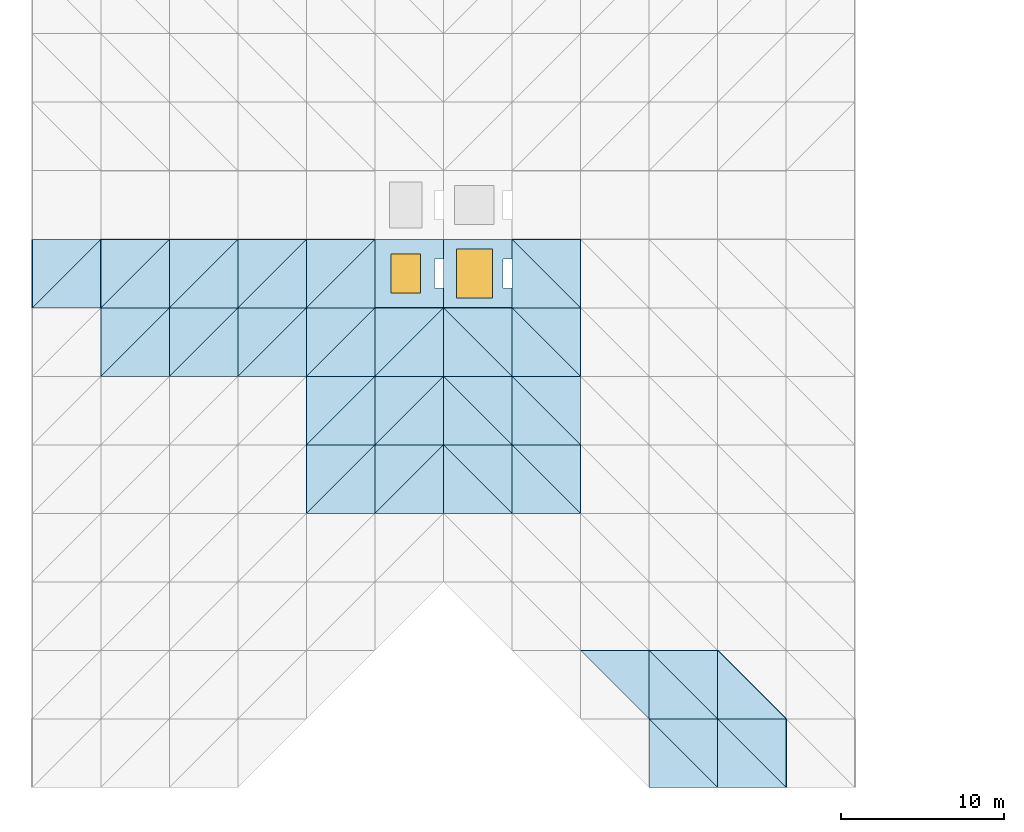
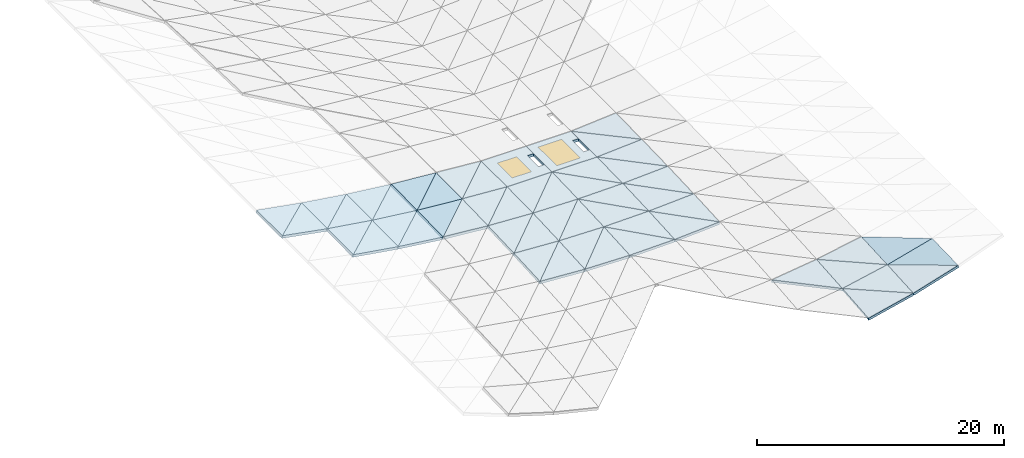
# One storey, part 6 of 31: 52 slabs, 2 windows, 2 openings.
"""IFC4 building model written with IfcOpenShell, lengths in metres."""

from ifc_helpers import new_model, si_unit, direction, frame, origin, origin_2d, place, context, subcontext, project, spatial, polyline, rectangle, outline, extrude, material, layer, layer_set, type_object, element, fill, save


model = new_model("IFC4")

# Units and contexts
model_context = context("Model", 3, precision=1e-05, world=origin(), true_north=direction((0.0, 1.0)))
body_context = subcontext(model_context, "Body", "Model", "MODEL_VIEW")
ifc_project = project(units=[si_unit("LENGTHUNIT", "METRE"), si_unit("AREAUNIT", "SQUARE_METRE"), si_unit("VOLUMEUNIT", "CUBIC_METRE"), si_unit("PLANEANGLEUNIT", "RADIAN"), si_unit("MASSUNIT", "GRAM", prefix="KILO")], contexts=[model_context])

# Site, building, storey
site_placement = place(None, origin())
site = spatial("IfcSite", under=ifc_project, at=site_placement, CompositionType="ELEMENT")
building_placement = place(site_placement, origin())
building = spatial("IfcBuilding", under=site, at=building_placement, Name="Cumbredor Promenade Congress Hotel", CompositionType="ELEMENT")
storey_placement = place(building_placement, frame((0.0, 0.0, 31.919921875)))
storey = spatial("IfcBuildingStorey", under=building, at=storey_placement, Name="L09", CompositionType="ELEMENT", Elevation=31.919921875)

# Slabs
ifc_material_1 = material(Name="Concrete C40/50", Category="concrete")
ifc_layer = layer(ifc_material_1, 0.25, Name="Concrete C40/50", Category="concrete")
ifc_layer_set = layer_set([ifc_layer], Name="Concrete C40/50")
slab_type = type_object("IfcSlabType", Name="Catenary Space Frame Roof Deck 250mm", PredefinedType="ROOF", material=ifc_layer_set)
slab_1_placement = place(storey_placement, frame((8.39990234375, 29.39990234375, 3.5341796875), z_axis=(0.180931503409, -0.003372814756, 0.983489916163), x_axis=(0.983495510242, 0.0, -0.180932532546)))
element("IfcSlab", 1, at=slab_1_placement, inside=storey, type_object=slab_type, Name="Plenary Congress Hall Sweeping Roof Deck Facet 4.8.1", PredefinedType="ROOF", context=body_context, shape_type="SweptSolid", body=[
    extrude(outline(polyline([(0.0, 0.0), (4.270680718680236, 0.0), (4.268074512767102, 4.2002192031614465), (0.0, 0.0)])), origin(), (0.0, 0.0, -1.0), 0.25),
])
slab_2_placement = place(storey_placement, frame((8.39990234375, 29.39990234375, 3.5341796875), z_axis=(0.175726910575, 0.002002748899, 0.984436916159), x_axis=(0.701414321813, 0.701414321813, -0.126632927433)))
element("IfcSlab", 2, at=slab_2_placement, inside=storey, type_object=slab_type, Name="Plenary Congress Hall Sweeping Roof Deck Facet 4.8.2", PredefinedType="ROOF", context=body_context, shape_type="SweptSolid", body=[
    extrude(outline(polyline([(0.0, 0.0), (5.988180141005973, -4.0245584642661925e-16), (2.9471592150726025, 2.992652041225218), (0.0, 0.0)])), origin(), (0.0, 0.0, -1.0), 0.25),
])
slab_3_placement = place(storey_placement, frame((12.60009765625, 25.199951171875, 2.73291015625), z_axis=(0.157496652803, -0.015611913106, 0.987396107206), x_axis=(0.987516459137, 0.0, -0.157515849786)))
element("IfcSlab", 3, at=slab_3_placement, inside=storey, type_object=slab_type, Name="Plenary Congress Hall Sweeping Roof Deck Facet 5.7.1", PredefinedType="ROOF", context=body_context, shape_type="SweptSolid", body=[
    extrude(outline(polyline([(0.0, 0.0), (4.253044223228545, 0.0), (4.242584186328683, 4.200463096350367), (0.0, 0.0)])), origin(), (0.0, 0.0, -1.0), 0.25),
])
slab_4_placement = place(storey_placement, frame((12.60009765625, 25.199951171875, 2.73291015625), z_axis=(0.148817726817, -0.00672525069, 0.988841774597), x_axis=(0.703484630197, 0.703484630197, -0.101087833857)))
element("IfcSlab", 4, at=slab_4_placement, inside=storey, type_object=slab_type, Name="Plenary Congress Hall Sweeping Roof Deck Facet 5.7.2", PredefinedType="ROOF", context=body_context, shape_type="SweptSolid", body=[
    extrude(outline(polyline([(0.0, 0.0), (5.970210281211836, 1.3877787807814457e-16), (2.951713578299067, 2.9879412185987584), (0.0, 0.0)])), origin(), (0.0, 0.0, -1.0), 0.25),
])
slab_5_placement = place(storey_placement, frame((12.60009765625, 29.39990234375, 2.761474609375), z_axis=(0.148816612176, -0.007759395472, 0.988834368194), x_axis=(0.988864137516, 0.0, -0.148821092369)))
element("IfcSlab", 5, at=slab_5_placement, inside=storey, type_object=slab_type, Name="Plenary Congress Hall Sweeping Roof Deck Facet 5.8.1", PredefinedType="ROOF", context=body_context, shape_type="SweptSolid", body=[
    extrude(outline(polyline([(0.0, 0.0), (4.247247940878505, 0.0), (4.242342948820433, 4.200321761347685), (0.0, 0.0)])), origin(), (0.0, 0.0, -1.0), 0.25),
])
slab_6_placement = place(storey_placement, frame((12.60009765625, 29.39990234375, 2.761474609375), z_axis=(0.144544248112, -0.003393400292, 0.989492519008), x_axis=(0.703516548722, 0.703557443714, -0.10035631056)))
element("IfcSlab", 6, at=slab_6_placement, inside=storey, type_object=slab_type, Name="Plenary Congress Hall Sweeping Roof Deck Facet 5.8.2", PredefinedType="ROOF", context=body_context, shape_type="SweptSolid", body=[
    extrude(outline(polyline([(0.0, 0.0), (5.969939412946949, -1.942890293094024e-16), (2.95363311507115, 2.986285245664007), (0.0, 0.0)])), origin(), (0.0, 0.0, -1.0), 0.25),
])
slab_7_placement = place(storey_placement, frame((16.800048828125, 25.199951171875, 2.06298828125), z_axis=(0.12301648116, -0.022550137897, 0.992148394467), x_axis=(0.992400748769, 0.0, -0.123047770571)))
element("IfcSlab", 7, at=slab_7_placement, inside=storey, type_object=slab_type, Name="Plenary Congress Hall Sweeping Roof Deck Facet 6.7.1", PredefinedType="ROOF", context=body_context, shape_type="SweptSolid", body=[
    extrude(outline(polyline([(0.0, 0.0), (4.232112054615011, -1.734723475976807e-18), (4.220366039406741, 4.201019435203653), (0.0, 0.0)])), origin(), (0.0, 0.0, -1.0), 0.25),
])
slab_8_placement = place(storey_placement, frame((16.800048828125, 25.199951171875, 2.06298828125), z_axis=(0.116264124238, -0.015702006848, 0.993094205197), x_axis=(0.705301075795, 0.705301075795, -0.071419779924)))
element("IfcSlab", 8, at=slab_8_placement, inside=storey, type_object=slab_type, Name="Plenary Congress Hall Sweeping Roof Deck Facet 6.7.2", PredefinedType="ROOF", context=body_context, shape_type="SweptSolid", body=[
    extrude(outline(polyline([(0.0, 0.0), (5.954834489852473, -2.0816681711721685e-16), (2.957487360049942, 2.982828884015655), (0.0, 0.0)])), origin(), (0.0, 0.0, -1.0), 0.25),
])
slab_9_placement = place(storey_placement, frame((16.800048828125, 29.39990234375, 2.12939453125), z_axis=(0.116271091919, -0.011256973705, 0.993153721096), x_axis=(0.993216653027, 0.0, -0.116278459524)))
element("IfcSlab", 9, at=slab_9_placement, inside=storey, type_object=slab_type, Name="Plenary Congress Hall Sweeping Roof Deck Facet 6.8.1", PredefinedType="ROOF", context=body_context, shape_type="SweptSolid", body=[
    extrude(outline(polyline([(0.0, 0.0), (4.228635473513123, -8.673617379884035e-19), (4.223099755835573, 4.2004614610295326), (0.0, 0.0)])), origin(), (0.0, 0.0, -1.0), 0.25),
])
slab_10_placement = place(storey_placement, frame((16.800048828125, 29.39990234375, 2.12939453125), z_axis=(0.112855715689, -0.007796640756, 0.99358079683), x_axis=(0.705118216141, 0.705159204237, -0.074557346693)))
element("IfcSlab", 10, at=slab_10_placement, inside=storey, type_object=slab_type, Name="Plenary Congress Hall Sweeping Roof Deck Facet 6.8.2", PredefinedType="ROOF", context=body_context, shape_type="SweptSolid", body=[
    extrude(outline(polyline([(0.0, 0.0), (5.95637876845763, -2.0122792321330962e-16), (2.959349049777961, 2.980768384054066), (0.0, 0.0)])), origin(), (0.0, 0.0, -1.0), 0.25),
])
slab_11_placement = place(storey_placement, frame((21.0, 25.199951171875, 1.542236328125), z_axis=(0.088210108531, -0.027551188754, 0.995720798593), x_axis=(0.996098923772, 0.0, -0.088243606338)))
element("IfcSlab", 11, at=slab_11_placement, inside=storey, type_object=slab_type, Name="Plenary Congress Hall Sweeping Roof Deck Facet 7.7.1", PredefinedType="ROOF", context=body_context, shape_type="SweptSolid", body=[
    extrude(outline(polyline([(0.0, 0.0), (4.216399668387478, -1.734723475976807e-18), (4.206144796166582, 4.201546104200756), (0.0, 0.0)])), origin(), (0.0, 0.0, -1.0), 0.25),
])
slab_12_placement = place(storey_placement, frame((21.0, 25.199951171875, 1.542236328125), z_axis=(0.083335710744, -0.022643685129, 0.996264233443), x_axis=(0.706451639396, 0.706451639396, -0.043036756268)))
element("IfcSlab", 12, at=slab_12_placement, inside=storey, type_object=slab_type, Name="Plenary Congress Hall Sweeping Roof Deck Facet 7.7.2", PredefinedType="ROOF", context=body_context, shape_type="SweptSolid", body=[
    extrude(outline(polyline([(0.0, 0.0), (5.945136139067277, 1.0408340855860843e-17), (2.962954145709013, 2.9781882066548224), (0.0, 0.0)])), origin(), (0.0, 0.0, -1.0), 0.25),
])
slab_13_placement = place(storey_placement, frame((21.0, 29.39990234375, 1.6376953125), z_axis=(0.083349163733, -0.013784536426, 0.996425061638), x_axis=(0.99651974221, 0.0, -0.083357083592)))
element("IfcSlab", 13, at=slab_13_placement, inside=storey, type_object=slab_type, Name="Plenary Congress Hall Sweeping Roof Deck Facet 7.8.1", PredefinedType="ROOF", context=body_context, shape_type="SweptSolid", body=[
    extrude(outline(polyline([(0.0, 0.0), (4.214619132942873, 0.0), (4.209775630527101, 4.200594416166595), (0.0, 0.0)])), origin(), (0.0, 0.0, -1.0), 0.25),
])
slab_14_placement = place(storey_placement, frame((21.0, 29.39990234375, 1.6376953125), z_axis=(0.080877602132, -0.011296716119, 0.99666002111), x_axis=(0.706226282131, 0.706267334638, -0.049304061201)))
element("IfcSlab", 14, at=slab_14_placement, inside=storey, type_object=slab_type, Name="Plenary Congress Hall Sweeping Roof Deck Facet 7.8.2", PredefinedType="ROOF", context=body_context, shape_type="SweptSolid", body=[
    extrude(outline(polyline([(0.0, 0.0), (5.947033235867261, 2.0469737016526324e-16), (2.9641135090769573, 2.976228861339807), (0.0, 0.0)])), origin(), (0.0, 0.0, -1.0), 0.25),
])
slab_15_placement = place(storey_placement, frame((25.199951171875, 16.800048828125, 0.763427734375), z_axis=(0.063347050155, -0.061030887443, 0.996123678071), x_axis=(0.997984042167, 0.0, -0.063465357329)))
element("IfcSlab", 15, at=slab_15_placement, inside=storey, type_object=slab_type, Name="Plenary Congress Hall Sweeping Roof Deck Facet 8.5.1", PredefinedType="ROOF", context=body_context, shape_type="SweptSolid", body=[
    extrude(outline(polyline([(0.0, 0.0), (4.208435199782525, 0.0), (4.19210402629016, 4.20779501549943), (0.0, 0.0)])), origin(), (0.0, 0.0, -1.0), 0.25),
])
slab_16_placement = place(storey_placement, frame((25.199951171875, 16.800048828125, 0.763427734375), z_axis=(0.057481069945, -0.055163284867, 0.996821417607), x_axis=(0.707105825455, 0.707105825455, -0.001644145383)))
element("IfcSlab", 16, at=slab_16_placement, inside=storey, type_object=slab_type, Name="Plenary Congress Hall Sweeping Roof Deck Facet 8.5.2", PredefinedType="ROOF", context=body_context, shape_type="SweptSolid", body=[
    extrude(outline(polyline([(0.0, 0.0), (5.939635936629451, -1.8539857149502126e-16), (2.969427804908485, 2.9792798266609806), (0.0, 0.0)])), origin(), (0.0, 0.0, -1.0), 0.25),
])
slab_17_placement = place(storey_placement, frame((25.199951171875, 21.0, 0.995849609375), z_axis=(0.057508168834, -0.045855808012, 0.997291359327), x_axis=(0.998341545591, 0.0, -0.057568727154)))
element("IfcSlab", 17, at=slab_17_placement, inside=storey, type_object=slab_type, Name="Plenary Congress Hall Sweeping Roof Deck Facet 8.6.1", PredefinedType="ROOF", context=body_context, shape_type="SweptSolid", body=[
    extrude(outline(polyline([(0.0, 0.0), (4.206928170445799, 1.734723475976807e-18), (4.195810772208824, 4.204373882439374), (0.0, 0.0)])), origin(), (0.0, 0.0, -1.0), 0.25),
])
slab_18_placement = place(storey_placement, frame((25.199951171875, 21.0, 0.995849609375), z_axis=(0.053067762346, -0.041410253896, 0.997731929664), x_axis=(0.707082649565, 0.707082649565, -0.008261559761)))
element("IfcSlab", 18, at=slab_18_placement, inside=storey, type_object=slab_type, Name="Plenary Congress Hall Sweeping Roof Deck Facet 8.6.2", PredefinedType="ROOF", context=body_context, shape_type="SweptSolid", body=[
    extrude(outline(polyline([(0.0, 0.0), (5.939830618756897, -3.0357660829594124e-17), (2.968272477243427, 2.9764634310639995), (0.0, 0.0)])), origin(), (0.0, 0.0, -1.0), 0.25),
])
slab_19_placement = place(storey_placement, frame((25.199951171875, 25.199951171875, 1.170166015625), z_axis=(0.053108168047, -0.013930011291, 0.998491601002), x_axis=(0.998588491362, 0.0, -0.05311332149)))
element("IfcSlab", 19, at=slab_19_placement, inside=storey, type_object=slab_type, Name="Plenary Congress Hall Sweeping Roof Deck Facet 8.7.1", PredefinedType="ROOF", context=body_context, shape_type="SweptSolid", body=[
    extrude(outline(polyline([(0.0, 0.0), (4.205887818862536, 4.336808689942018e-19), (4.202775710181469, 4.2003587214014), (0.0, 0.0)])), origin(), (0.0, 0.0, -1.0), 0.25),
])
slab_20_placement = place(storey_placement, frame((25.199951171875, 25.199951171875, 1.170166015625), z_axis=(0.066732253414, -0.027597352411, 0.997389188078), x_axis=(0.706834778288, 0.706834778288, -0.027734318162)))
element("IfcSlab", 20, at=slab_20_placement, inside=storey, type_object=slab_type, Name="Plenary Congress Hall Sweeping Roof Deck Facet 8.7.2", PredefinedType="ROOF", context=body_context, shape_type="SweptSolid", body=[
    extrude(outline(polyline([(0.0, 0.0), (5.941913585583702, -2.8275992658421956e-16), (2.9654485242798962, 2.9764424869254578), (0.0, 0.0)])), origin(), (0.0, 0.0, -1.0), 0.25),
])
slab_21_placement = place(storey_placement, frame((25.199951171875, 29.39990234375, 1.286376953125), z_axis=(0.066757680043, 0.0, 0.997769217883), x_axis=(0.997769217883, 0.0, -0.066757680043)))
element("IfcSlab", 21, at=slab_21_placement, inside=storey, type_object=slab_type, Name="Plenary Congress Hall Sweeping Roof Deck Facet 8.8.1", PredefinedType="ROOF", context=body_context, shape_type="SweptSolid", body=[
    extrude(outline(polyline([(0.0, 0.0), (4.209341295159763, 0.0), (4.209341295159763, 4.2001953125), (0.0, 0.0)])), origin(), (0.0, 0.0, -1.0), 0.25),
])
slab_22_placement = place(storey_placement, frame((25.199951171875, 29.39990234375, 1.286376953125), z_axis=(0.080472174014, -0.013787807173, 0.996661489967), x_axis=(0.706296276828, 0.706337333403, -0.047256118969)))
element("IfcSlab", 22, at=slab_22_placement, inside=storey, type_object=slab_type, Name="Plenary Congress Hall Sweeping Roof Deck Facet 8.8.2", PredefinedType="ROOF", context=body_context, shape_type="SweptSolid", body=[
    extrude(outline(polyline([(0.0, 0.0), (5.946443878679446, 3.920475055707584e-16), (2.9640089178611118, 2.9765194512190636), (0.0, 0.0)])), origin(), (0.0, 0.0, -1.0), 0.25),
])
slab_23_placement = place(storey_placement, frame((29.39990234375, 16.800048828125, 0.496337890625), z_axis=(0.0211109762, -0.06310460787, 0.997783611385), x_axis=(0.999776247383, 0.0, -0.021153136134)))
element("IfcSlab", 23, at=slab_23_placement, inside=storey, type_object=slab_type, Name="Plenary Congress Hall Sweeping Roof Deck Facet 9.5.1", PredefinedType="ROOF", context=body_context, shape_type="SweptSolid", body=[
    extrude(outline(polyline([(0.0, 0.0), (4.201135327522922, -8.673617379884035e-19), (4.195516525737357, 4.2083387358702105), (0.0, 0.0)])), origin(), (0.0, 0.0, -1.0), 0.25),
])
slab_24_placement = place(storey_placement, frame((29.39990234375, 16.800048828125, 0.496337890625), z_axis=(0.01914217663, -0.061142505995, 0.997945474981), x_axis=(0.70681444132, 0.706773357011, 0.029745039265)))
element("IfcSlab", 24, at=slab_24_placement, inside=storey, type_object=slab_type, Name="Plenary Congress Hall Sweeping Roof Deck Facet 9.5.2", PredefinedType="ROOF", context=body_context, shape_type="SweptSolid", body=[
    extrude(outline(polyline([(0.0, 0.0), (5.94242996034122, 4.371503159461554e-16), (2.9760677080202753, 2.9746977320340355), (0.0, 0.0)])), origin(), (0.0, 0.0, -1.0), 0.25),
])
slab_25_placement = place(storey_placement, frame((29.39990234375, 21.0, 0.753662109375), z_axis=(0.019156474623, -0.047429544063, 0.998690877013), x_axis=(0.999816084135, 0.0, -0.01917805788)))
element("IfcSlab", 25, at=slab_25_placement, inside=storey, type_object=slab_type, Name="Plenary Congress Hall Sweeping Roof Deck Facet 9.6.1", PredefinedType="ROOF", context=body_context, shape_type="SweptSolid", body=[
    extrude(outline(polyline([(0.0, 0.0), (4.200967937150082, 0.0), (4.197142626288796, 4.204683181628252), (0.0, 0.0)])), origin(), (0.0, 0.0, -1.0), 0.25),
])
slab_26_placement = place(storey_placement, frame((29.39990234375, 21.0, 0.753662109375), z_axis=(0.017648910258, -0.045924669463, 0.998788987075), x_axis=(0.7069857099, 0.706944615636, 0.020012906343)))
element("IfcSlab", 26, at=slab_26_placement, inside=storey, type_object=slab_type, Name="Plenary Congress Hall Sweeping Roof Deck Facet 9.6.2", PredefinedType="ROOF", context=body_context, shape_type="SweptSolid", body=[
    extrude(outline(polyline([(0.0, 0.0), (5.940990395824411, 1.3877787807814457e-17), (2.972997663991284, 2.9729056880069815), (0.0, 0.0)])), origin(), (0.0, 0.0, -1.0), 0.25),
])
slab_27_placement = place(storey_placement, frame((29.39990234375, 25.199951171875, 0.94677734375), z_axis=(0.017658727001, -0.031601664145, 0.999344537276), x_axis=(0.999843916636, 0.0, -0.017667551189)))
element("IfcSlab", 27, at=slab_27_placement, inside=storey, type_object=slab_type, Name="Plenary Congress Hall Sweeping Roof Deck Facet 9.7.1", PredefinedType="ROOF", context=body_context, shape_type="SweptSolid", body=[
    extrude(outline(polyline([(0.0, 0.0), (4.200850995453009, 0.0), (4.198504523810705, 4.202049916452833), (0.0, 0.0)])), origin(), (0.0, 0.0, -1.0), 0.25),
])
slab_28_placement = place(storey_placement, frame((29.39990234375, 25.199951171875, 0.94677734375), z_axis=(0.0, -0.013949697586, 0.999902698235), x_axis=(0.707092929256, 0.70705182876, 0.009864118985)))
element("IfcSlab", 28, at=slab_28_placement, inside=storey, type_object=slab_type, Name="Plenary Congress Hall Sweeping Roof Deck Facet 9.7.2", PredefinedType="ROOF", context=body_context, shape_type="SweptSolid", body=[
    extrude(outline(polyline([(0.0, 0.0), (5.940089539461525, -7.177418381854039e-17), (2.970161132499125, 2.9700447674512858), (0.0, 0.0)])), origin(), (0.0, 0.0, -1.0), 0.25),
])

# Slab, opening, window
slab_29_placement = place(storey_placement, frame((0.0, 0.0, 0.75537109375)))
slab_29 = element("IfcSlab", 29, at=slab_29_placement, inside=storey, type_object=slab_type, Name="Plenary Congress Hall Saddle Skylight Roof Slab 9.8", PredefinedType="ROOF", context=body_context, shape_type="SweptSolid", body=[
    extrude(outline(polyline([(29.39990234375, 29.39990234375), (33.60009765625, 29.39990234375), (33.60009765625, 30.60009765625), (33.050048828125, 30.60009765625), (33.050048828125, 32.39990234375), (33.60009765625, 32.39990234375), (33.60009765625, 33.60009765625), (29.39990234375, 33.60009765625), (29.39990234375, 29.39990234375)])), origin(), (0.0, 0.0, 1.0), 0.25),
])
opening_1_placement = place(slab_29_placement, frame((31.2900390625, 31.5, -0.010009765625)))
opening_1 = element("IfcOpeningElement", 30, at=opening_1_placement, cuts=slab_29, Name="Opening SKY-01", PredefinedType="OPENING", context=body_context, shape_type="SweptSolid", body=[
    extrude(rectangle(XDim=1.800048828125, YDim=2.39990234375, at=origin_2d()), origin(), (0.0, 0.0, 1.0), 0.27001953125),
])
ifc_material_2 = material(Name="Laminated low-E solar-control glass", Category="glass")
window_type_1 = type_object("IfcWindowType", Name="Laminated Roof Skylight SKY-01 1800x2400", PartitioningType="SINGLE_PANEL", PredefinedType="SKYLIGHT", material=ifc_material_2)
window_1_placement = place(opening_1_placement, frame((0.0, 0.0, 0.2099609375)))
window_1 = element("IfcWindow", 31, at=window_1_placement, inside=storey, type_object=window_type_1, Name="L09 Saddle Roof Skylight 01", OverallHeight=2.39990234375, OverallWidth=1.800048828125, PartitioningType="SINGLE_PANEL", PredefinedType="SKYLIGHT", context=body_context, shape_type="SweptSolid", body=[
    extrude(rectangle(XDim=1.800048828125, YDim=2.39990234375, at=origin_2d()), origin(), (0.0, 0.0, 1.0), 0.050048828125),
])
fill(opening_1, window_1)

# Slabs
slab_30_placement = place(storey_placement, frame((33.60009765625, 16.800048828125, 0.407470703125), z_axis=(-0.021112202821, -0.063104606235, 0.997783585535), x_axis=(0.999776221378, 0.0, 0.021154365203)))
element("IfcSlab", 32, at=slab_30_placement, inside=storey, type_object=slab_type, Name="Plenary Congress Hall Sweeping Roof Deck Facet 10.5.1", PredefinedType="ROOF", context=body_context, shape_type="SweptSolid", body=[
    extrude(outline(polyline([(0.0, 0.0), (4.2008912415282005, 0.0), (0.005619128256960146, 4.208338735434307), (0.0, 0.0)])), origin(), (0.0, 0.0, -1.0), 0.25),
])
slab_31_placement = place(storey_placement, frame((37.800048828125, 16.800048828125, 0.496337890625), z_axis=(-0.019143288945, -0.061142504692, 0.997945453724), x_axis=(0.0, 0.998128360293, 0.061153711082)))
element("IfcSlab", 33, at=slab_31_placement, inside=storey, type_object=slab_type, Name="Plenary Congress Hall Sweeping Roof Deck Facet 10.5.2", PredefinedType="ROOF", context=body_context, shape_type="SweptSolid", body=[
    extrude(outline(polyline([(0.0, 0.0), (4.2078267074214795, -8.673617379884035e-19), (4.202899772690729, 4.200720952082437), (0.0, 0.0)])), origin(), (0.0, 0.0, -1.0), 0.25),
])
slab_32_placement = place(storey_placement, frame((33.60009765625, 21.0, 0.673095703125), z_axis=(-0.019157587769, -0.047429543051, 0.998690855709), x_axis=(0.999816062759, 0.0, 0.019179172279)))
element("IfcSlab", 34, at=slab_32_placement, inside=storey, type_object=slab_type, Name="Plenary Congress Hall Sweeping Roof Deck Facet 10.6.1", PredefinedType="ROOF", context=body_context, shape_type="SweptSolid", body=[
    extrude(outline(polyline([(0.0, 0.0), (4.200723841429025, -8.673617379884035e-19), (0.0038255331425039083, 4.204683181426021), (0.0, 0.0)])), origin(), (0.0, 0.0, -1.0), 0.25),
])
slab_33_placement = place(storey_placement, frame((37.800048828125, 21.0, 0.753662109375), z_axis=(-0.017649935858, -0.045924668632, 0.99878896899), x_axis=(0.0, 0.998944576834, 0.045931823535)))
element("IfcSlab", 35, at=slab_33_placement, inside=storey, type_object=slab_type, Name="Plenary Congress Hall Sweeping Roof Deck Facet 10.6.2", PredefinedType="ROOF", context=body_context, shape_type="SweptSolid", body=[
    extrude(outline(polyline([(0.0, 0.0), (4.204388580980818, 0.0), (4.200979578452816, 4.200605509648283), (0.0, 0.0)])), origin(), (0.0, 0.0, -1.0), 0.25),
])
slab_34_placement = place(storey_placement, frame((33.60009765625, 25.199951171875, 0.87255859375), z_axis=(-0.017659753172, -0.031601663572, 0.999344519161), x_axis=(0.999843898494, 0.0, 0.017668577873)))
element("IfcSlab", 36, at=slab_34_placement, inside=storey, type_object=slab_type, Name="Plenary Congress Hall Sweeping Roof Deck Facet 10.7.1", PredefinedType="ROOF", context=body_context, shape_type="SweptSolid", body=[
    extrude(outline(polyline([(0.0, 0.0), (4.200606892936514, -4.336808689942018e-19), (0.0023466079987037674, 4.202049916376689), (0.0, 0.0)])), origin(), (0.0, 0.0, -1.0), 0.25),
])
slab_35_placement = place(storey_placement, frame((37.800048828125, 25.199951171875, 0.94677734375), z_axis=(0.0, -0.013949697586, 0.999902698235), x_axis=(0.0, 0.999902698235, 0.013949697586)))
element("IfcSlab", 37, at=slab_35_placement, inside=storey, type_object=slab_type, Name="Plenary Congress Hall Sweeping Roof Deck Facet 10.7.2", PredefinedType="ROOF", context=body_context, shape_type="SweptSolid", body=[
    extrude(outline(polyline([(0.0, 0.0), (4.200359874305207, 0.0), (4.200359874305207, 4.199951171875), (0.0, 0.0)])), origin(), (0.0, 0.0, -1.0), 0.25),
])

# Slab, opening, window
slab_36_placement = place(storey_placement, frame((0.0, 0.0, 0.75537109375)))
slab_36 = element("IfcSlab", 38, at=slab_36_placement, inside=storey, type_object=slab_type, Name="Plenary Congress Hall Saddle Skylight Roof Slab 10.8", PredefinedType="ROOF", context=body_context, shape_type="SweptSolid", body=[
    extrude(outline(polyline([(33.60009765625, 29.39990234375), (37.800048828125, 29.39990234375), (37.800048828125, 30.60009765625), (37.25, 30.60009765625), (37.25, 32.39990234375), (37.800048828125, 32.39990234375), (37.800048828125, 33.60009765625), (33.60009765625, 33.60009765625), (33.60009765625, 29.39990234375)])), origin(), (0.0, 0.0, 1.0), 0.25),
])
opening_2_placement = place(slab_36_placement, frame((35.489990234375, 31.5, -0.010009765625)))
opening_2 = element("IfcOpeningElement", 39, at=opening_2_placement, cuts=slab_36, Name="Opening SKY-03", PredefinedType="OPENING", context=body_context, shape_type="SweptSolid", body=[
    extrude(rectangle(XDim=2.199951171875, YDim=3.0, at=origin_2d()), origin(), (0.0, 0.0, 1.0), 0.27001953125),
])
window_type_2 = type_object("IfcWindowType", Name="Laminated Roof Skylight SKY-03 2200x3000", PartitioningType="SINGLE_PANEL", PredefinedType="SKYLIGHT", material=ifc_material_2)
window_2_placement = place(opening_2_placement, frame((0.0, 0.0, 0.2099609375)))
window_2 = element("IfcWindow", 40, at=window_2_placement, inside=storey, type_object=window_type_2, Name="L09 Saddle Roof Skylight 03", OverallHeight=3.0, OverallWidth=2.199951171875, PartitioningType="SINGLE_PANEL", PredefinedType="SKYLIGHT", context=body_context, shape_type="SweptSolid", body=[
    extrude(rectangle(XDim=2.199951171875, YDim=3.0, at=origin_2d()), origin(), (0.0, 0.0, 1.0), 0.050048828125),
])
fill(opening_2, window_2)

# Slabs
slab_37_placement = place(storey_placement, frame((37.800048828125, 16.800048828125, 0.496337890625), z_axis=(-0.063347050155, -0.061030887443, 0.996123678071), x_axis=(0.997984042167, 0.0, 0.063465357329)))
element("IfcSlab", 41, at=slab_37_placement, inside=storey, type_object=slab_type, Name="Plenary Congress Hall Sweeping Roof Deck Facet 11.5.1", PredefinedType="ROOF", context=body_context, shape_type="SweptSolid", body=[
    extrude(outline(polyline([(0.0, 0.0), (4.208435199782525, 0.0), (0.016331173492365982, 4.20779501549943), (0.0, 0.0)])), origin(), (0.0, 0.0, -1.0), 0.25),
])
slab_38_placement = place(storey_placement, frame((42.0, 16.800048828125, 0.763427734375), z_axis=(-0.057481069945, -0.055163284867, 0.996821417607), x_axis=(0.0, 0.998472295268, 0.055254643091)))
element("IfcSlab", 42, at=slab_38_placement, inside=storey, type_object=slab_type, Name="Plenary Congress Hall Sweeping Roof Deck Facet 11.5.2", PredefinedType="ROOF", context=body_context, shape_type="SweptSolid", body=[
    extrude(outline(polyline([(0.0, 0.0), (4.206377274343411, -1.734723475976807e-18), (4.192995290469805, 4.2069068867516), (0.0, 0.0)])), origin(), (0.0, 0.0, -1.0), 0.25),
])
slab_39_placement = place(storey_placement, frame((37.800048828125, 21.0, 0.753662109375), z_axis=(-0.057508168834, -0.045855808012, 0.997291359327), x_axis=(0.998341545591, 0.0, 0.057568727154)))
element("IfcSlab", 43, at=slab_39_placement, inside=storey, type_object=slab_type, Name="Plenary Congress Hall Sweeping Roof Deck Facet 11.6.1", PredefinedType="ROOF", context=body_context, shape_type="SweptSolid", body=[
    extrude(outline(polyline([(0.0, 0.0), (4.206928170445799, -1.734723475976807e-18), (0.011117398236975174, 4.204373882439374), (0.0, 0.0)])), origin(), (0.0, 0.0, -1.0), 0.25),
])
slab_40_placement = place(storey_placement, frame((42.0, 21.0, 0.995849609375), z_axis=(-0.053067762346, -0.041410253896, 0.997731929664), x_axis=(0.0, 0.999139804036, 0.041468686862)))
element("IfcSlab", 44, at=slab_40_placement, inside=storey, type_object=slab_type, Name="Plenary Congress Hall Sweeping Roof Deck Facet 11.6.2", PredefinedType="ROOF", context=body_context, shape_type="SweptSolid", body=[
    extrude(outline(polyline([(0.0, 0.0), (4.203567063295423, 1.734723475976807e-18), (4.194303428412985, 4.205877617088381), (0.0, 0.0)])), origin(), (0.0, 0.0, -1.0), 0.25),
])
slab_41_placement = place(storey_placement, frame((37.800048828125, 25.199951171875, 0.94677734375), z_axis=(-0.053108168047, -0.013930011291, 0.998491601002), x_axis=(0.998588491362, 0.0, 0.05311332149)))
element("IfcSlab", 45, at=slab_41_placement, inside=storey, type_object=slab_type, Name="Plenary Congress Hall Sweeping Roof Deck Facet 11.7.1", PredefinedType="ROOF", context=body_context, shape_type="SweptSolid", body=[
    extrude(outline(polyline([(0.0, 0.0), (4.205887818862536, -4.336808689942018e-19), (0.0031121086810669365, 4.2003587214014), (0.0, 0.0)])), origin(), (0.0, 0.0, -1.0), 0.25),
])
slab_42_placement = place(storey_placement, frame((42.0, 25.199951171875, 1.170166015625), z_axis=(-0.066732253414, -0.027597352411, 0.997389188078), x_axis=(0.0, 0.999617416492, 0.027659006583)))
element("IfcSlab", 46, at=slab_42_placement, inside=storey, type_object=slab_type, Name="Plenary Congress Hall Sweeping Roof Deck Facet 11.7.2", PredefinedType="ROOF", context=body_context, shape_type="SweptSolid", body=[
    extrude(outline(polyline([(0.0, 0.0), (4.201558618909037, 0.0), (4.193786275994674, 4.209334119528038), (0.0, 0.0)])), origin(), (0.0, 0.0, -1.0), 0.25),
])
slab_43_placement = place(storey_placement, frame((37.800048828125, 29.39990234375, 1.00537109375), z_axis=(-0.066757680043, 0.0, 0.997769217883), x_axis=(0.997769217883, 0.0, 0.066757680043)))
element("IfcSlab", 47, at=slab_43_placement, inside=storey, type_object=slab_type, Name="Plenary Congress Hall Sweeping Roof Deck Facet 11.8.1", PredefinedType="ROOF", context=body_context, shape_type="SweptSolid", body=[
    extrude(outline(polyline([(0.0, 0.0), (4.209341295159763, 0.0), (0.0, 4.2001953125), (0.0, 0.0)])), origin(), (0.0, 0.0, -1.0), 0.25),
])
slab_44_placement = place(storey_placement, frame((42.0, 29.39990234375, 1.286376953125), z_axis=(-0.080472174014, -0.013787807173, 0.996661489967), x_axis=(0.0, 0.999904324064, 0.013832668515)))
element("IfcSlab", 48, at=slab_44_placement, inside=storey, type_object=slab_type, Name="Plenary Congress Hall Sweeping Roof Deck Facet 11.8.2", PredefinedType="ROOF", context=body_context, shape_type="SweptSolid", body=[
    extrude(outline(polyline([(0.0, 0.0), (4.200597208569947, 0.0), (4.195906393978408, 4.213616538705837), (0.0, 0.0)])), origin(), (0.0, 0.0, -1.0), 0.25),
])
slab_45_placement = place(storey_placement, frame((46.199951171875, 4.199951171875, 0.350341796875), z_axis=(-0.131714249465, -0.078523061063, 0.988172801371), x_axis=(0.0, 0.996857698391, 0.079213188031)))
element("IfcSlab", 49, at=slab_45_placement, inside=storey, type_object=slab_type, Name="Plenary Congress Hall Sweeping Roof Deck Facet 12.2.2", PredefinedType="ROOF", context=body_context, shape_type="SweptSolid", body=[
    extrude(outline(polyline([(0.0, 0.0), (4.21319028649014, 0.0), (4.168845598952162, 4.236863889334774), (0.0, 0.0)])), origin(), (0.0, 0.0, -1.0), 0.25),
])
slab_46_placement = place(storey_placement, frame((46.199951171875, 0.0, -0.031005859375), z_axis=(-0.231257969912, -0.087974902339, 0.968906686895), x_axis=(0.972678059786, 0.0, 0.232158118554)))
element("IfcSlab", 50, at=slab_46_placement, inside=storey, type_object=slab_type, Name="Plenary Congress Hall Sweeping Roof Deck Facet 13.1.1", PredefinedType="ROOF", context=body_context, shape_type="SweptSolid", body=[
    extrude(outline(polyline([(0.0, 0.0), (4.317925267891822, 0.0), (0.08853295438992968, 4.2162990639954065), (0.0, 0.0)])), origin(), (0.0, 0.0, -1.0), 0.25),
])
slab_47_placement = place(storey_placement, frame((50.39990234375, 0.0, 0.971435546875), z_axis=(-0.205963343256, -0.061539212814, 0.976622765719), x_axis=(0.0, 0.998020619679, 0.062887540065)))
element("IfcSlab", 51, at=slab_47_placement, inside=storey, type_object=slab_type, Name="Plenary Congress Hall Sweeping Roof Deck Facet 13.1.2", PredefinedType="ROOF", context=body_context, shape_type="SweptSolid", body=[
    extrude(outline(polyline([(0.0, 0.0), (4.208280960392899, -1.3877787807814457e-17), (4.152578813089544, 4.291972313475154), (0.0, 0.0)])), origin(), (0.0, 0.0, -1.0), 0.25),
])
slab_48_placement = place(storey_placement, frame((46.199951171875, 4.199951171875, 0.350341796875), z_axis=(-0.205733512795, -0.077518663724, 0.975532971502), x_axis=(0.978477306539, 0.0, 0.206354453765)))
element("IfcSlab", 52, at=slab_48_placement, inside=storey, type_object=slab_type, Name="Plenary Congress Hall Sweeping Roof Deck Facet 13.2.1", PredefinedType="ROOF", context=body_context, shape_type="SweptSolid", body=[
    extrude(outline(polyline([(0.0, 0.0), (4.292333755528742, 2.7755575615628914e-17), (0.06886878376391804, 4.212627384518805), (0.0, 0.0)])), origin(), (0.0, 0.0, -1.0), 0.25),
])
slab_49_placement = place(storey_placement, frame((50.39990234375, 4.199951171875, 1.236083984375), z_axis=(-0.183160259499, -0.054149248058, 0.981590636811), x_axis=(0.0, 0.998481886608, 0.055081050421)))
element("IfcSlab", 53, at=slab_49_placement, inside=storey, type_object=slab_type, Name="Plenary Congress Hall Sweeping Roof Deck Facet 13.2.2", PredefinedType="ROOF", context=body_context, shape_type="SweptSolid", body=[
    extrude(outline(polyline([(0.0, 0.0), (4.206336868205345, 0.0), (4.163170322343246, 4.272224094740658), (0.0, 0.0)])), origin(), (0.0, 0.0, -1.0), 0.25),
])
slab_50_placement = place(storey_placement, frame((50.39990234375, 0.0, 0.971435546875), z_axis=(-0.29281693134, -0.06013108631, 0.954275902022), x_axis=(0.95600580498, 0.0, 0.293347747297)))
element("IfcSlab", 54, at=slab_50_placement, inside=storey, type_object=slab_type, Name="Plenary Congress Hall Sweeping Roof Deck Facet 14.1.1", PredefinedType="ROOF", context=body_context, shape_type="SweptSolid", body=[
    extrude(outline(polyline([(0.0, 0.0), (4.393483063198155, -2.7755575615628914e-17), (0.07763402296619341, 4.207564806403278), (0.0, 0.0)])), origin(), (0.0, 0.0, -1.0), 0.25),
])
slab_51_placement = place(storey_placement, frame((54.60009765625, 0.0, 2.26025390625), z_axis=(-0.261616348868, -0.026359449419, 0.964811932675), x_axis=(0.0, 0.999626995305, 0.027310625344)))
element("IfcSlab", 55, at=slab_51_placement, inside=storey, type_object=slab_type, Name="Plenary Congress Hall Sweeping Roof Deck Facet 14.1.2", PredefinedType="ROOF", context=body_context, shape_type="SweptSolid", body=[
    extrude(outline(polyline([(0.0, 0.0), (4.201518357946931, 0.0), (4.170413849345868, 4.351758594331581), (0.0, 0.0)])), origin(), (0.0, 0.0, -1.0), 0.25),
])
slab_52_placement = place(storey_placement, frame((50.39990234375, 4.199951171875, 1.236083984375), z_axis=(-0.261337136882, -0.053166850913, 0.963782229993), x_axis=(0.965147293036, 0.0, 0.26170728447)))
element("IfcSlab", 56, at=slab_52_placement, inside=storey, type_object=slab_type, Name="Plenary Congress Hall Sweeping Roof Deck Facet 14.2.1", PredefinedType="ROOF", context=body_context, shape_type="SweptSolid", body=[
    extrude(outline(polyline([(0.0, 0.0), (4.351869753771831, -6.938893903907228e-18), (0.060634817617589765, 4.205899816652322), (0.0, 0.0)])), origin(), (0.0, 0.0, -1.0), 0.25),
])

save(model, "model.ifc")
